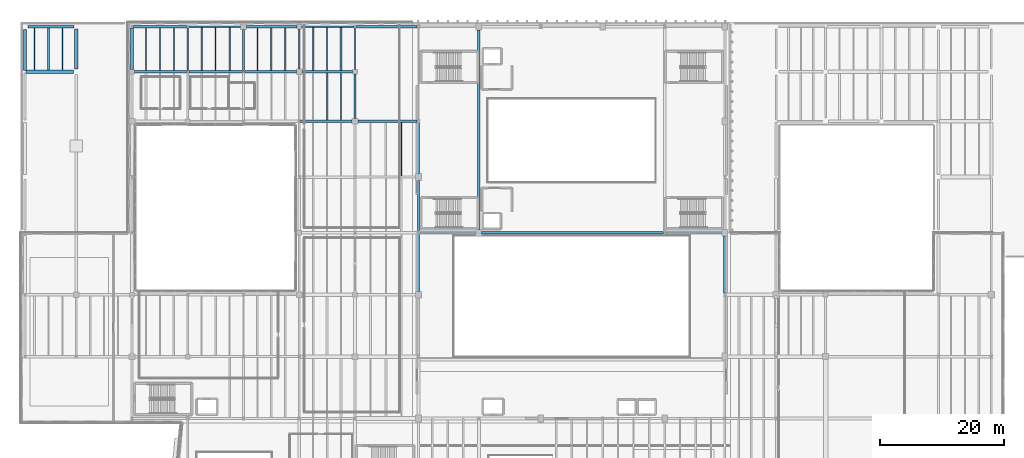
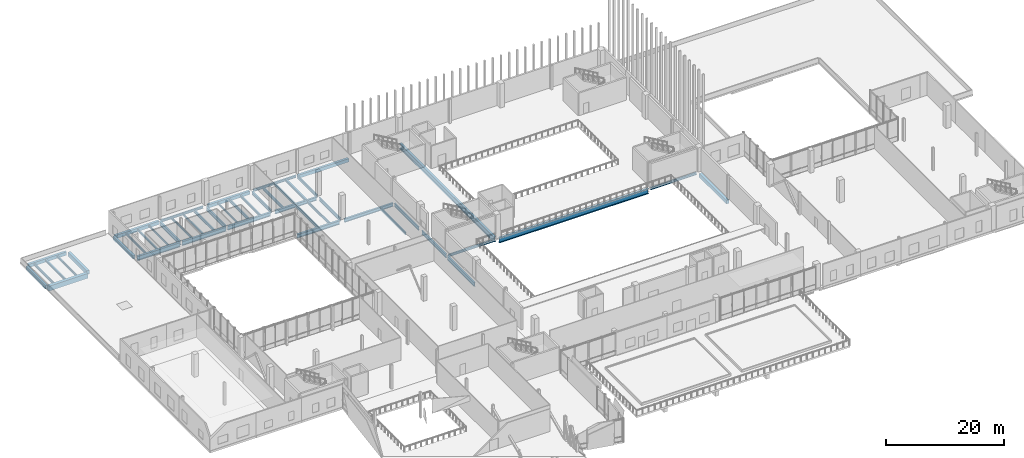
# One storey, part 29 of 60: 47 beams.
"""IFC4 building model written with IfcOpenShell, lengths in metres."""

from ifc_helpers import new_model, si_unit, direction, frame, origin, origin_2d, place, context, subcontext, project, spatial, rectangle, i_section, extrude, material, material_profile, profile_set, type_object, element, save


model = new_model("IFC4")

# Units and contexts
model_context = context("Model", 3, precision=1e-05, world=origin(), true_north=direction((0.0, 1.0)))
body_context = subcontext(model_context, "Body", "Model", "MODEL_VIEW")
ifc_project = project(units=[si_unit("LENGTHUNIT", "METRE"), si_unit("AREAUNIT", "SQUARE_METRE"), si_unit("VOLUMEUNIT", "CUBIC_METRE"), si_unit("PLANEANGLEUNIT", "RADIAN"), si_unit("MASSUNIT", "GRAM", prefix="KILO")], contexts=[model_context])

# Site, building, storey
site_placement = place(None, origin())
site = spatial("IfcSite", under=ifc_project, at=site_placement, CompositionType="ELEMENT")
building_placement = place(site_placement, origin())
building = spatial("IfcBuilding", under=site, at=building_placement, Name="Trimount Lyric Opera House", CompositionType="ELEMENT")
storey_placement = place(building_placement, frame((0.0, 0.0, 15.0)))
storey = spatial("IfcBuildingStorey", under=building, at=storey_placement, Name="L03", CompositionType="ELEMENT", Elevation=15.0)

# Beams
ifc_material_1 = material(Name="Steel ASTM A992 Grade 50", Category="steel")
ifc_material_profile_1 = material_profile(ifc_material_1, i_section(OverallWidth=0.4189453125, OverallDepth=0.927001953125, WebThickness=0.019287109375, FlangeThickness=0.031982421875, FilletRadius=0.02392578125, at=origin_2d()), Name="W36X231")
ifc_profile_set_1 = profile_set([ifc_material_profile_1], Name="Steel ASTM A992 Grade 50")
beam_type_1 = type_object("IfcBeamType", Name="B-02", PredefinedType="BEAM", material=ifc_profile_set_1)
beam_1_placement = place(storey_placement, frame((18.375, 110.0, -0.743408203125), z_axis=(1.0, 0.0, 0.0), x_axis=(0.0, 1.0, 0.0)))
element("IfcBeam", 1, at=beam_1_placement, inside=storey, type_object=beam_type_1, Name="L03 girder X-1007", PredefinedType="BEAM", context=body_context, shape_type="SweptSolid", body=[
    extrude(i_section(OverallWidth=0.4189453125, OverallDepth=0.927001953125, WebThickness=0.019287109375, FlangeThickness=0.031982421875, FilletRadius=0.02392578125, at=origin_2d()), origin(), (0.0, 0.0, 1.0), 8.44091796875),
])
ifc_material_2 = material(Name="Steel ASTM A992 Grade 50", Category="steel")
ifc_material_profile_2 = material_profile(ifc_material_2, i_section(OverallWidth=0.40087890625, OverallDepth=0.861083984375, WebThickness=0.019775390625, FlangeThickness=0.032470703125, FilletRadius=0.02001953125, at=origin_2d()), Name="W33X221")
ifc_profile_set_2 = profile_set([ifc_material_profile_2], Name="Steel ASTM A992 Grade 50")
beam_type_2 = type_object("IfcBeamType", Name="B-04", PredefinedType="BEAM", material=ifc_profile_set_2)
beam_2_placement = place(storey_placement, frame((27.18408203125, 110.0, -0.71044921875), z_axis=(1.0, 0.0, 0.0), x_axis=(0.0, 1.0, 0.0)))
element("IfcBeam", 2, at=beam_2_placement, inside=storey, type_object=beam_type_2, Name="L03 girder X-1008", PredefinedType="BEAM", context=body_context, shape_type="SweptSolid", body=[
    extrude(i_section(OverallWidth=0.40087890625, OverallDepth=0.861083984375, WebThickness=0.019775390625, FlangeThickness=0.032470703125, FilletRadius=0.02001953125, at=origin_2d()), origin(), (0.0, 0.0, 1.0), 8.62939453125),
])
ifc_material_3 = material(Name="Steel ASTM A992 Grade 50", Category="steel")
ifc_material_profile_3 = material_profile(ifc_material_3, i_section(OverallWidth=0.2919921875, OverallDepth=0.845947265625, WebThickness=0.015380859375, FlangeThickness=0.0244140625, FilletRadius=0.01806640625, at=origin_2d()), Name="W33X141")
ifc_profile_set_3 = profile_set([ifc_material_profile_3], Name="Steel ASTM A992 Grade 50")
beam_type_3 = type_object("IfcBeamType", Name="B-05", PredefinedType="BEAM", material=ifc_profile_set_3)
beam_3_placement = place(storey_placement, frame((27.0, 110.177978515625, -0.702880859375), z_axis=(0.0, 1.0, 0.0), x_axis=(-1.0, 0.0, 0.0)))
element("IfcBeam", 3, at=beam_3_placement, inside=storey, type_object=beam_type_3, Name="L03 girder Y-1049", PredefinedType="BEAM", context=body_context, shape_type="SweptSolid", body=[
    extrude(i_section(OverallWidth=0.2919921875, OverallDepth=0.845947265625, WebThickness=0.015380859375, FlangeThickness=0.0244140625, FilletRadius=0.01806640625, at=origin_2d()), origin(), (0.0, 0.0, 1.0), 6.91796875),
])
beam_4_placement = place(storey_placement, frame((64.260009765625, 74.550048828125, -0.748046875), z_axis=(0.0, 1.0, 0.0), x_axis=(-1.0, 0.0, 0.0)))
element("IfcBeam", 4, at=beam_4_placement, inside=storey, type_object=beam_type_3, Name="L03 girder Y-1077", PredefinedType="BEAM", context=body_context, shape_type="SweptSolid", body=[
    extrude(i_section(OverallWidth=0.2919921875, OverallDepth=0.845947265625, WebThickness=0.015380859375, FlangeThickness=0.0244140625, FilletRadius=0.01806640625, at=origin_2d()), origin(), (0.0, 0.0, 1.0), 9.217529296875),
])
ifc_material_4 = material(Name="Steel ASTM A992 Grade 50", Category="steel")
ifc_material_profile_4 = material_profile(ifc_material_4, i_section(OverallWidth=0.382080078125, OverallDepth=0.779052734375, WebThickness=0.01806640625, FlangeThickness=0.0302734375, FilletRadius=0.01904296875, at=origin_2d()), Name="W30X191")
ifc_profile_set_4 = profile_set([ifc_material_profile_4], Name="Steel ASTM A992 Grade 50")
beam_type_4 = type_object("IfcBeamType", Name="B-06", PredefinedType="BEAM", material=ifc_profile_set_4)
for number, where, z_axis, x_axis, name in (
    (5, (45.1865234375, 102.0, -0.66943359375), (1.0, 0.0, 0.0), (0.0, 1.0, 0.0), "L03 girder X-1000"),
    (6, (36.1865234375, 110.0, -0.66943359375), (1.0, 0.0, 0.0), (0.0, 1.0, 0.0), "L03 girder X-1009"),
):
    element("IfcBeam", number, at=place(storey_placement, frame(where, z_axis=z_axis, x_axis=x_axis)), inside=storey, type_object=beam_type_4, Name=name, PredefinedType="BEAM", context=body_context, shape_type="SweptSolid", body=[
        extrude(i_section(OverallWidth=0.382080078125, OverallDepth=0.779052734375, WebThickness=0.01806640625, FlangeThickness=0.0302734375, FilletRadius=0.01904296875, at=origin_2d()), origin(), (0.0, 0.0, 1.0), 8.363525390625),
    ])
ifc_material_5 = material(Name="Steel ASTM A992 Grade 50", Category="steel")
ifc_material_profile_5 = material_profile(ifc_material_5, i_section(OverallWidth=0.26708984375, OverallDepth=0.761962890625, WebThickness=0.014404296875, FlangeThickness=0.021484375, FilletRadius=0.01708984375, at=origin_2d()), Name="W30X116")
ifc_profile_set_5 = profile_set([ifc_material_profile_5], Name="Steel ASTM A992 Grade 50")
beam_type_5 = type_object("IfcBeamType", Name="B-07", PredefinedType="BEAM", material=ifc_profile_set_5)
beam_5_placement = place(storey_placement, frame((36.0, 110.18408203125, -0.660888671875), z_axis=(0.0, 1.0, 0.0), x_axis=(-1.0, 0.0, 0.0)))
element("IfcBeam", 7, at=beam_5_placement, inside=storey, type_object=beam_type_5, Name="L03 girder Y-1053", PredefinedType="BEAM", context=body_context, shape_type="SweptSolid", body=[
    extrude(i_section(OverallWidth=0.26708984375, OverallDepth=0.761962890625, WebThickness=0.014404296875, FlangeThickness=0.021484375, FilletRadius=0.01708984375, at=origin_2d()), origin(), (0.0, 0.0, 1.0), 6.64599609375),
])
beam_6_placement = place(storey_placement, frame((64.260009765625, 84.232421875, -0.7060546875), z_axis=(0.0, 1.0, 0.0), x_axis=(-1.0, 0.0, 0.0)))
element("IfcBeam", 8, at=beam_6_placement, inside=storey, type_object=beam_type_5, Name="L03 girder Y-1078", PredefinedType="BEAM", context=body_context, shape_type="SweptSolid", body=[
    extrude(i_section(OverallWidth=0.26708984375, OverallDepth=0.761962890625, WebThickness=0.014404296875, FlangeThickness=0.021484375, FilletRadius=0.01708984375, at=origin_2d()), origin(), (0.0, 0.0, 1.0), 8.217529296875),
])
ifc_material_6 = material(Name="Steel ASTM A992 Grade 50", Category="steel")
ifc_material_profile_6 = material_profile(ifc_material_6, i_section(OverallWidth=0.35595703125, OverallDepth=0.700927734375, WebThickness=0.016845703125, FlangeThickness=0.02734375, FilletRadius=0.01806640625, at=origin_2d()), Name="W27X161")
ifc_profile_set_6 = profile_set([ifc_material_profile_6], Name="Steel ASTM A992 Grade 50")
beam_type_6 = type_object("IfcBeamType", Name="B-08", PredefinedType="BEAM", material=ifc_profile_set_6)
beam_7_placement = place(storey_placement, frame((54.449951171875, 102.0, -0.675537109375), z_axis=(1.0, 0.0, 0.0), x_axis=(0.0, 1.0, 0.0)))
element("IfcBeam", 9, at=beam_7_placement, inside=storey, type_object=beam_type_6, Name="L03 girder X-1001", PredefinedType="BEAM", context=body_context, shape_type="SweptSolid", body=[
    extrude(i_section(OverallWidth=0.35595703125, OverallDepth=0.700927734375, WebThickness=0.016845703125, FlangeThickness=0.02734375, FilletRadius=0.01806640625, at=origin_2d()), origin(), (0.0, 0.0, 1.0), 9.59912109375),
])
beam_8_placement = place(storey_placement, frame((45.449951171875, 110.0, -0.630615234375), z_axis=(1.0, 0.0, 0.0), x_axis=(0.0, 1.0, 0.0)))
element("IfcBeam", 10, at=beam_8_placement, inside=storey, type_object=beam_type_6, Name="L03 girder X-1010", PredefinedType="BEAM", context=body_context, shape_type="SweptSolid", body=[
    extrude(i_section(OverallWidth=0.35595703125, OverallDepth=0.700927734375, WebThickness=0.016845703125, FlangeThickness=0.02734375, FilletRadius=0.01806640625, at=origin_2d()), origin(), (0.0, 0.0, 1.0), 8.175048828125),
])
ifc_material_7 = material(Name="Steel ASTM A992 Grade 50", Category="steel")
ifc_material_profile_7 = material_profile(ifc_material_7, i_section(OverallWidth=0.25390625, OverallDepth=0.68798828125, WebThickness=0.01318359375, FlangeThickness=0.02099609375, FilletRadius=0.01611328125, at=origin_2d()), Name="W27X102")
ifc_profile_set_7 = profile_set([ifc_material_profile_7], Name="Steel ASTM A992 Grade 50")
beam_type_7 = type_object("IfcBeamType", Name="B-09", PredefinedType="BEAM", material=ifc_profile_set_7)
beam_9_placement = place(storey_placement, frame((45.0, 110.449951171875, -0.6240234375), z_axis=(0.0, 1.0, 0.0), x_axis=(-1.0, 0.0, 0.0)))
element("IfcBeam", 11, at=beam_9_placement, inside=storey, type_object=beam_type_7, Name="L03 girder Y-1063", PredefinedType="BEAM", context=body_context, shape_type="SweptSolid", body=[
    extrude(i_section(OverallWidth=0.25390625, OverallDepth=0.68798828125, WebThickness=0.01318359375, FlangeThickness=0.02099609375, FilletRadius=0.01611328125, at=origin_2d()), origin(), (0.0, 0.0, 1.0), 6.455078125),
])
beam_10_placement = place(storey_placement, frame((54.0, 102.449951171875, -0.6240234375), z_axis=(0.0, 1.0, 0.0), x_axis=(-1.0, 0.0, 0.0)))
element("IfcBeam", 12, at=beam_10_placement, inside=storey, type_object=beam_type_7, Name="L03 girder Y-1072", PredefinedType="BEAM", context=body_context, shape_type="SweptSolid", body=[
    extrude(i_section(OverallWidth=0.25390625, OverallDepth=0.68798828125, WebThickness=0.01318359375, FlangeThickness=0.02099609375, FilletRadius=0.01611328125, at=origin_2d()), origin(), (0.0, 0.0, 1.0), 7.175048828125),
])
beam_11_placement = place(storey_placement, frame((64.260009765625, 93.550048828125, -0.6689453125), z_axis=(0.0, 1.0, 0.0), x_axis=(-1.0, 0.0, 0.0)))
element("IfcBeam", 13, at=beam_11_placement, inside=storey, type_object=beam_type_7, Name="L03 girder Y-1079", PredefinedType="BEAM", context=body_context, shape_type="SweptSolid", body=[
    extrude(i_section(OverallWidth=0.25390625, OverallDepth=0.68798828125, WebThickness=0.01318359375, FlangeThickness=0.02099609375, FilletRadius=0.01611328125, at=origin_2d()), origin(), (0.0, 0.0, 1.0), 8.217529296875),
])
ifc_material_8 = material(Name="Steel ASTM A992 Grade 50", Category="steel")
ifc_material_profile_8 = material_profile(ifc_material_8, i_section(OverallWidth=0.22998046875, OverallDepth=0.616943359375, WebThickness=0.01318359375, FlangeThickness=0.022216796875, FilletRadius=0.013916015625, at=origin_2d()), Name="W24X94")
ifc_profile_set_8 = profile_set([ifc_material_profile_8], Name="Steel ASTM A992 Grade 50")
beam_type_8 = type_object("IfcBeamType", Name="B-11", PredefinedType="BEAM", material=ifc_profile_set_8)
beam_12_placement = place(storey_placement, frame((54.0, 110.375, -0.58837890625), z_axis=(0.0, 1.0, 0.0), x_axis=(-1.0, 0.0, 0.0)))
element("IfcBeam", 14, at=beam_12_placement, inside=storey, type_object=beam_type_8, Name="L03 girder Y-1073", PredefinedType="BEAM", context=body_context, shape_type="SweptSolid", body=[
    extrude(i_section(OverallWidth=0.22998046875, OverallDepth=0.616943359375, WebThickness=0.01318359375, FlangeThickness=0.022216796875, FilletRadius=0.013916015625, at=origin_2d()), origin(), (0.0, 0.0, 1.0), 6.72705078125),
])
ifc_material_9 = material(Name="Concrete C40/50", Category="concrete")
ifc_material_profile_9 = material_profile(ifc_material_9, rectangle(XDim=0.60009765625, YDim=1.0, at=origin_2d()), Name="RC600X1000")
ifc_profile_set_9 = profile_set([ifc_material_profile_9], Name="Concrete C40/50")
beam_type_9 = type_object("IfcBeamType", Name="B-13", PredefinedType="BEAM", material=ifc_profile_set_9)
beam_13_placement = place(storey_placement, frame((0.906494140625, 110.0, -0.7900390625), z_axis=(1.0, 0.0, 0.0), x_axis=(0.0, 1.0, 0.0)))
element("IfcBeam", 15, at=beam_13_placement, inside=storey, type_object=beam_type_9, Name="L03 girder X-1006", PredefinedType="BEAM", context=body_context, shape_type="SweptSolid", body=[
    extrude(rectangle(XDim=0.60009765625, YDim=1.0, at=origin_2d()), origin(), (0.0, 0.0, 1.0), 7.6435546875),
])
ifc_material_10 = material(Name="Concrete C40/50", Category="concrete")
ifc_material_profile_10 = material_profile(ifc_material_10, rectangle(XDim=0.5, YDim=0.800048828125, at=origin_2d()), Name="RC500X800")
ifc_profile_set_10 = profile_set([ifc_material_profile_10], Name="Concrete C40/50")
beam_type_10 = type_object("IfcBeamType", Name="B-15", PredefinedType="BEAM", material=ifc_profile_set_10)
beam_14_placement = place(storey_placement, frame((9.0, 110.449951171875, -0.68994140625), z_axis=(0.0, 1.0, 0.0), x_axis=(-1.0, 0.0, 0.0)))
element("IfcBeam", 16, at=beam_14_placement, inside=storey, type_object=beam_type_10, Name="L03 girder Y-1038", PredefinedType="BEAM", context=body_context, shape_type="SweptSolid", body=[
    extrude(rectangle(XDim=0.5, YDim=0.800048828125, at=origin_2d()), origin(), (0.0, 0.0, 1.0), 6.455078125),
])
beam_15_placement = place(storey_placement, frame((113.739990234375, 74.232421875, -0.72509765625), z_axis=(0.0, 1.0, 0.0), x_axis=(-1.0, 0.0, 0.0)))
element("IfcBeam", 17, at=beam_15_placement, inside=storey, type_object=beam_type_10, Name="L03 girder Y-1092", PredefinedType="BEAM", context=body_context, shape_type="SweptSolid", body=[
    extrude(rectangle(XDim=0.5, YDim=0.800048828125, at=origin_2d()), origin(), (0.0, 0.0, 1.0), 9.217529296875),
])
ifc_material_11 = material(Name="Steel ASTM A992 Grade 50", Category="steel")
ifc_material_profile_11 = material_profile(ifc_material_11, i_section(OverallWidth=0.22802734375, OverallDepth=0.60205078125, WebThickness=0.010498046875, FlangeThickness=0.014892578125, FilletRadius=0.012939453125, at=origin_2d()), Name="W24X68")
ifc_profile_set_11 = profile_set([ifc_material_profile_11], Name="Steel ASTM A992 Grade 50")
beam_type_11 = type_object("IfcBeamType", Name="J-01", PredefinedType="BEAM", material=ifc_profile_set_11)
beam_16_placement = place(storey_placement, frame((33.75, 110.196533203125, -0.5810546875), z_axis=(0.0, 1.0, 0.0), x_axis=(-1.0, 0.0, 0.0)))
element("IfcBeam", 18, at=beam_16_placement, inside=storey, type_object=beam_type_11, Name="L03 composite floor joist 1016", PredefinedType="BEAM", context=body_context, shape_type="SweptSolid", body=[
    extrude(i_section(OverallWidth=0.22802734375, OverallDepth=0.60205078125, WebThickness=0.010498046875, FlangeThickness=0.014892578125, FilletRadius=0.012939453125, at=origin_2d()), origin(), (0.0, 0.0, 1.0), 6.946533203125),
])
beam_17_placement = place(storey_placement, frame((40.5, 110.18701171875, -0.5810546875), z_axis=(0.0, 1.0, 0.0), x_axis=(-1.0, 0.0, 0.0)))
element("IfcBeam", 19, at=beam_17_placement, inside=storey, type_object=beam_type_11, Name="L03 composite floor joist 1027", PredefinedType="BEAM", context=body_context, shape_type="SweptSolid", body=[
    extrude(i_section(OverallWidth=0.22802734375, OverallDepth=0.60205078125, WebThickness=0.010498046875, FlangeThickness=0.014892578125, FilletRadius=0.012939453125, at=origin_2d()), origin(), (0.0, 0.0, 1.0), 6.8720703125),
])
beam_18_placement = place(storey_placement, frame((49.5, 102.18701171875, -0.5810546875), z_axis=(0.0, 1.0, 0.0), x_axis=(-1.0, 0.0, 0.0)))
element("IfcBeam", 20, at=beam_18_placement, inside=storey, type_object=beam_type_11, Name="L03 composite floor joist 1054", PredefinedType="BEAM", context=body_context, shape_type="SweptSolid", body=[
    extrude(i_section(OverallWidth=0.22802734375, OverallDepth=0.60205078125, WebThickness=0.010498046875, FlangeThickness=0.014892578125, FilletRadius=0.012939453125, at=origin_2d()), origin(), (0.0, 0.0, 1.0), 7.638916015625),
])
beam_19_placement = place(storey_placement, frame((47.25, 110.174072265625, -0.5810546875), z_axis=(0.0, 1.0, 0.0), x_axis=(-1.0, 0.0, 0.0)))
element("IfcBeam", 21, at=beam_19_placement, inside=storey, type_object=beam_type_11, Name="L03 composite floor joist 1056", PredefinedType="BEAM", context=body_context, shape_type="SweptSolid", body=[
    extrude(i_section(OverallWidth=0.22802734375, OverallDepth=0.60205078125, WebThickness=0.010498046875, FlangeThickness=0.014892578125, FilletRadius=0.012939453125, at=origin_2d()), origin(), (0.0, 0.0, 1.0), 6.968994140625),
])
ifc_material_12 = material(Name="Steel ASTM A992 Grade 50", Category="steel")
ifc_material_profile_12 = material_profile(ifc_material_12, i_section(OverallWidth=0.2099609375, OverallDepth=0.532958984375, WebThickness=0.01025390625, FlangeThickness=0.015625, FilletRadius=0.012939453125, at=origin_2d()), Name="W21X62")
ifc_profile_set_12 = profile_set([ifc_material_profile_12], Name="Steel ASTM A992 Grade 50")
beam_type_12 = type_object("IfcBeamType", Name="J-02", PredefinedType="BEAM", material=ifc_profile_set_12)
beam_20_placement = place(storey_placement, frame((2.25, 110.2958984375, -0.556396484375), z_axis=(0.0, 1.0, 0.0), x_axis=(-1.0, 0.0, 0.0)))
element("IfcBeam", 22, at=beam_20_placement, inside=storey, type_object=beam_type_12, Name="L03 composite floor joist 0992", PredefinedType="BEAM", context=body_context, shape_type="SweptSolid", body=[
    extrude(i_section(OverallWidth=0.2099609375, OverallDepth=0.532958984375, WebThickness=0.01025390625, FlangeThickness=0.015625, FilletRadius=0.012939453125, at=origin_2d()), origin(), (0.0, 0.0, 1.0), 6.76318359375),
])
beam_21_placement = place(storey_placement, frame((42.75, 110.18701171875, -0.54638671875), z_axis=(0.0, 1.0, 0.0), x_axis=(-1.0, 0.0, 0.0)))
element("IfcBeam", 23, at=beam_21_placement, inside=storey, type_object=beam_type_12, Name="L03 composite floor joist 1028", PredefinedType="BEAM", context=body_context, shape_type="SweptSolid", body=[
    extrude(i_section(OverallWidth=0.2099609375, OverallDepth=0.532958984375, WebThickness=0.01025390625, FlangeThickness=0.015625, FilletRadius=0.012939453125, at=origin_2d()), origin(), (0.0, 0.0, 1.0), 6.8720703125),
])
beam_22_placement = place(storey_placement, frame((51.75, 102.18701171875, -0.54638671875), z_axis=(0.0, 1.0, 0.0), x_axis=(-1.0, 0.0, 0.0)))
element("IfcBeam", 24, at=beam_22_placement, inside=storey, type_object=beam_type_12, Name="L03 composite floor joist 1055", PredefinedType="BEAM", context=body_context, shape_type="SweptSolid", body=[
    extrude(i_section(OverallWidth=0.2099609375, OverallDepth=0.532958984375, WebThickness=0.01025390625, FlangeThickness=0.015625, FilletRadius=0.012939453125, at=origin_2d()), origin(), (0.0, 0.0, 1.0), 7.638916015625),
])
beam_23_placement = place(storey_placement, frame((49.5, 110.174072265625, -0.54638671875), z_axis=(0.0, 1.0, 0.0), x_axis=(-1.0, 0.0, 0.0)))
element("IfcBeam", 25, at=beam_23_placement, inside=storey, type_object=beam_type_12, Name="L03 composite floor joist 1057", PredefinedType="BEAM", context=body_context, shape_type="SweptSolid", body=[
    extrude(i_section(OverallWidth=0.2099609375, OverallDepth=0.532958984375, WebThickness=0.01025390625, FlangeThickness=0.015625, FilletRadius=0.012939453125, at=origin_2d()), origin(), (0.0, 0.0, 1.0), 6.968994140625),
])
beam_24_placement = place(storey_placement, frame((61.5, 93.18701171875, -0.54638671875), z_axis=(0.0, 1.0, 0.0), x_axis=(-1.0, 0.0, 0.0)))
element("IfcBeam", 26, at=beam_24_placement, inside=storey, type_object=beam_type_12, Name="L03 composite floor joist 1073", PredefinedType="BEAM", context=body_context, shape_type="SweptSolid", body=[
    extrude(i_section(OverallWidth=0.2099609375, OverallDepth=0.532958984375, WebThickness=0.01025390625, FlangeThickness=0.015625, FilletRadius=0.012939453125, at=origin_2d()), origin(), (0.0, 0.0, 1.0), 8.638916015625),
])
ifc_material_13 = material(Name="Steel ASTM A992 Grade 50", Category="steel")
ifc_material_profile_13 = material_profile(ifc_material_13, i_section(OverallWidth=0.281982421875, OverallDepth=0.467041015625, WebThickness=0.01220703125, FlangeThickness=0.01953125, FilletRadius=0.012939453125, at=origin_2d()), Name="W18X86")
ifc_profile_set_13 = profile_set([ifc_material_profile_13], Name="Steel ASTM A992 Grade 50")
beam_type_13 = type_object("IfcBeamType", Name="J-03", PredefinedType="BEAM", material=ifc_profile_set_13)
beam_25_placement = place(storey_placement, frame((4.5, 110.2958984375, -0.5234375), z_axis=(0.0, 1.0, 0.0), x_axis=(-1.0, 0.0, 0.0)))
element("IfcBeam", 27, at=beam_25_placement, inside=storey, type_object=beam_type_13, Name="L03 composite floor joist 0993", PredefinedType="BEAM", context=body_context, shape_type="SweptSolid", body=[
    extrude(i_section(OverallWidth=0.281982421875, OverallDepth=0.467041015625, WebThickness=0.01220703125, FlangeThickness=0.01953125, FilletRadius=0.012939453125, at=origin_2d()), origin(), (0.0, 0.0, 1.0), 6.76318359375),
])
beam_26_placement = place(storey_placement, frame((51.75, 110.174072265625, -0.513427734375), z_axis=(0.0, 1.0, 0.0), x_axis=(-1.0, 0.0, 0.0)))
element("IfcBeam", 28, at=beam_26_placement, inside=storey, type_object=beam_type_13, Name="L03 composite floor joist 1058", PredefinedType="BEAM", context=body_context, shape_type="SweptSolid", body=[
    extrude(i_section(OverallWidth=0.281982421875, OverallDepth=0.467041015625, WebThickness=0.01220703125, FlangeThickness=0.01953125, FilletRadius=0.012939453125, at=origin_2d()), origin(), (0.0, 0.0, 1.0), 6.968994140625),
])
ifc_material_14 = material(Name="Steel ASTM A992 Grade 50", Category="steel")
ifc_material_profile_14 = material_profile(ifc_material_14, i_section(OverallWidth=0.19091796875, OverallDepth=0.45703125, WebThickness=0.009033203125, FlangeThickness=0.014404296875, FilletRadius=0.010986328125, at=origin_2d()), Name="W18X50")
ifc_profile_set_14 = profile_set([ifc_material_profile_14], Name="Steel ASTM A992 Grade 50")
beam_type_14 = type_object("IfcBeamType", Name="J-04", PredefinedType="BEAM", material=ifc_profile_set_14)
beam_27_placement = place(storey_placement, frame((6.75, 110.2958984375, -0.5185546875), z_axis=(0.0, 1.0, 0.0), x_axis=(-1.0, 0.0, 0.0)))
element("IfcBeam", 29, at=beam_27_placement, inside=storey, type_object=beam_type_14, Name="L03 composite floor joist 0994", PredefinedType="BEAM", context=body_context, shape_type="SweptSolid", body=[
    extrude(i_section(OverallWidth=0.19091796875, OverallDepth=0.45703125, WebThickness=0.009033203125, FlangeThickness=0.014404296875, FilletRadius=0.010986328125, at=origin_2d()), origin(), (0.0, 0.0, 1.0), 6.76318359375),
])
beam_28_placement = place(storey_placement, frame((20.25, 110.20556640625, -0.508544921875), z_axis=(0.0, 1.0, 0.0), x_axis=(-1.0, 0.0, 0.0)))
element("IfcBeam", 30, at=beam_28_placement, inside=storey, type_object=beam_type_14, Name="L03 composite floor joist 1004", PredefinedType="BEAM", context=body_context, shape_type="SweptSolid", body=[
    extrude(i_section(OverallWidth=0.19091796875, OverallDepth=0.45703125, WebThickness=0.009033203125, FlangeThickness=0.014404296875, FilletRadius=0.010986328125, at=origin_2d()), origin(), (0.0, 0.0, 1.0), 6.853515625),
])
ifc_material_15 = material(Name="Steel ASTM A992 Grade 50", Category="steel")
ifc_material_profile_15 = material_profile(ifc_material_15, i_section(OverallWidth=0.180908203125, OverallDepth=0.4169921875, WebThickness=0.010986328125, FlangeThickness=0.018310546875, FilletRadius=0.010986328125, at=origin_2d()), Name="W16X57")
ifc_profile_set_15 = profile_set([ifc_material_profile_15], Name="Steel ASTM A992 Grade 50")
beam_type_15 = type_object("IfcBeamType", Name="J-05", PredefinedType="BEAM", material=ifc_profile_set_15)
beam_29_placement = place(storey_placement, frame((22.5, 110.20556640625, -0.488525390625), z_axis=(0.0, 1.0, 0.0), x_axis=(-1.0, 0.0, 0.0)))
element("IfcBeam", 31, at=beam_29_placement, inside=storey, type_object=beam_type_15, Name="L03 composite floor joist 1005", PredefinedType="BEAM", context=body_context, shape_type="SweptSolid", body=[
    extrude(i_section(OverallWidth=0.180908203125, OverallDepth=0.4169921875, WebThickness=0.010986328125, FlangeThickness=0.018310546875, FilletRadius=0.010986328125, at=origin_2d()), origin(), (0.0, 0.0, 1.0), 6.853515625),
])
beam_30_placement = place(storey_placement, frame((29.25, 110.196533203125, -0.488525390625), z_axis=(0.0, 1.0, 0.0), x_axis=(-1.0, 0.0, 0.0)))
element("IfcBeam", 32, at=beam_30_placement, inside=storey, type_object=beam_type_15, Name="L03 composite floor joist 1014", PredefinedType="BEAM", context=body_context, shape_type="SweptSolid", body=[
    extrude(i_section(OverallWidth=0.180908203125, OverallDepth=0.4169921875, WebThickness=0.010986328125, FlangeThickness=0.018310546875, FilletRadius=0.010986328125, at=origin_2d()), origin(), (0.0, 0.0, 1.0), 6.946533203125),
])
ifc_material_16 = material(Name="Steel ASTM A992 Grade 50", Category="steel")
ifc_material_profile_16 = material_profile(ifc_material_16, i_section(OverallWidth=0.177978515625, OverallDepth=0.404052734375, WebThickness=0.007568359375, FlangeThickness=0.010986328125, FilletRadius=0.010009765625, at=origin_2d()), Name="W16X36")
ifc_profile_set_16 = profile_set([ifc_material_profile_16], Name="Steel ASTM A992 Grade 50")
beam_type_16 = type_object("IfcBeamType", Name="J-06", PredefinedType="BEAM", material=ifc_profile_set_16)
beam_31_placement = place(storey_placement, frame((24.75, 110.20556640625, -0.48193359375), z_axis=(0.0, 1.0, 0.0), x_axis=(-1.0, 0.0, 0.0)))
element("IfcBeam", 33, at=beam_31_placement, inside=storey, type_object=beam_type_16, Name="L03 composite floor joist 1006", PredefinedType="BEAM", context=body_context, shape_type="SweptSolid", body=[
    extrude(i_section(OverallWidth=0.177978515625, OverallDepth=0.404052734375, WebThickness=0.007568359375, FlangeThickness=0.010986328125, FilletRadius=0.010009765625, at=origin_2d()), origin(), (0.0, 0.0, 1.0), 6.853515625),
])
beam_32_placement = place(storey_placement, frame((31.5, 110.196533203125, -0.48193359375), z_axis=(0.0, 1.0, 0.0), x_axis=(-1.0, 0.0, 0.0)))
element("IfcBeam", 34, at=beam_32_placement, inside=storey, type_object=beam_type_16, Name="L03 composite floor joist 1015", PredefinedType="BEAM", context=body_context, shape_type="SweptSolid", body=[
    extrude(i_section(OverallWidth=0.177978515625, OverallDepth=0.404052734375, WebThickness=0.007568359375, FlangeThickness=0.010986328125, FilletRadius=0.010009765625, at=origin_2d()), origin(), (0.0, 0.0, 1.0), 6.946533203125),
])
beam_33_placement = place(storey_placement, frame((38.25, 110.18701171875, -0.48193359375), z_axis=(0.0, 1.0, 0.0), x_axis=(-1.0, 0.0, 0.0)))
element("IfcBeam", 35, at=beam_33_placement, inside=storey, type_object=beam_type_16, Name="L03 composite floor joist 1026", PredefinedType="BEAM", context=body_context, shape_type="SweptSolid", body=[
    extrude(i_section(OverallWidth=0.177978515625, OverallDepth=0.404052734375, WebThickness=0.007568359375, FlangeThickness=0.010986328125, FilletRadius=0.010009765625, at=origin_2d()), origin(), (0.0, 0.0, 1.0), 6.8720703125),
])
ifc_material_17 = material(Name="Steel ASTM A992 Grade 50", Category="steel")
ifc_material_profile_17 = material_profile(ifc_material_17, i_section(OverallWidth=0.281982421875, OverallDepth=0.467041015625, WebThickness=0.01220703125, FlangeThickness=0.01953125, FilletRadius=0.012939453125, at=origin_2d()), Name="W18X86")
ifc_profile_set_17 = profile_set([ifc_material_profile_17], Name="Steel ASTM A992 Grade 50")
beam_type_17 = type_object("IfcBeamType", Name="SP-01", PredefinedType="SPANDREL", material=ifc_profile_set_17)
for number, where, z_axis, x_axis, name in (
    (36, (64.470947265625, 84.0, -0.55859375), (1.0, 0.0, 0.0), (0.0, 1.0, 0.0), "L03 girder X-0991"),
    (37, (104.2109375, 84.0, -0.55859375), (1.0, 0.0, 0.0), (0.0, 1.0, 0.0), "L03 girder X-0993"),
):
    element("IfcBeam", number, at=place(storey_placement, frame(where, z_axis=z_axis, x_axis=x_axis)), inside=storey, type_object=beam_type_17, Name=name, PredefinedType="SPANDREL", context=body_context, shape_type="SweptSolid", body=[
        extrude(i_section(OverallWidth=0.281982421875, OverallDepth=0.467041015625, WebThickness=0.01220703125, FlangeThickness=0.01953125, FilletRadius=0.012939453125, at=origin_2d()), origin(), (0.0, 0.0, 1.0), 9.0791015625),
    ])
beam_34_placement = place(storey_placement, frame((27.1865234375, 117.280029296875, -0.513427734375), z_axis=(1.0, 0.0, 0.0), x_axis=(0.0, 1.0, 0.0)))
element("IfcBeam", 38, at=beam_34_placement, inside=storey, type_object=beam_type_17, Name="L03 girder X-1017", PredefinedType="SPANDREL", context=body_context, shape_type="SweptSolid", body=[
    extrude(i_section(OverallWidth=0.281982421875, OverallDepth=0.467041015625, WebThickness=0.01220703125, FlangeThickness=0.01953125, FilletRadius=0.012939453125, at=origin_2d()), origin(), (0.0, 0.0, 1.0), 8.363525390625),
])
beam_35_placement = place(storey_placement, frame((45.375, 117.280029296875, -0.513427734375), z_axis=(1.0, 0.0, 0.0), x_axis=(0.0, 1.0, 0.0)))
element("IfcBeam", 39, at=beam_35_placement, inside=storey, type_object=beam_type_17, Name="L03 girder X-1019", PredefinedType="SPANDREL", context=body_context, shape_type="SweptSolid", body=[
    extrude(i_section(OverallWidth=0.281982421875, OverallDepth=0.467041015625, WebThickness=0.01220703125, FlangeThickness=0.01953125, FilletRadius=0.012939453125, at=origin_2d()), origin(), (0.0, 0.0, 1.0), 8.44091796875),
])
ifc_material_18 = material(Name="Concrete C40/50", Category="concrete")
ifc_material_profile_18 = material_profile(ifc_material_18, rectangle(XDim=0.449951171875, YDim=0.699951171875, at=origin_2d()), Name="RC450X700")
ifc_profile_set_18 = profile_set([ifc_material_profile_18], Name="Concrete C40/50")
beam_type_18 = type_object("IfcBeamType", Name="SP-02", PredefinedType="SPANDREL", material=ifc_profile_set_18)
beam_36_placement = place(storey_placement, frame((1.169921875, 117.280029296875, -0.639892578125), z_axis=(1.0, 0.0, 0.0), x_axis=(0.0, 1.0, 0.0)))
element("IfcBeam", 40, at=beam_36_placement, inside=storey, type_object=beam_type_18, Name="L03 girder X-1015", PredefinedType="SPANDREL", context=body_context, shape_type="SweptSolid", body=[
    extrude(rectangle(XDim=0.449951171875, YDim=0.699951171875, at=origin_2d()), origin(), (0.0, 0.0, 1.0), 7.455078125),
])
beam_37_placement = place(storey_placement, frame((18.18408203125, 117.280029296875, -0.6298828125), z_axis=(1.0, 0.0, 0.0), x_axis=(0.0, 1.0, 0.0)))
element("IfcBeam", 41, at=beam_37_placement, inside=storey, type_object=beam_type_18, Name="L03 girder X-1016", PredefinedType="SPANDREL", context=body_context, shape_type="SweptSolid", body=[
    extrude(rectangle(XDim=0.449951171875, YDim=0.699951171875, at=origin_2d()), origin(), (0.0, 0.0, 1.0), 8.62939453125),
])
beam_38_placement = place(storey_placement, frame((36.449951171875, 117.280029296875, -0.6298828125), z_axis=(1.0, 0.0, 0.0), x_axis=(0.0, 1.0, 0.0)))
element("IfcBeam", 42, at=beam_38_placement, inside=storey, type_object=beam_type_18, Name="L03 girder X-1018", PredefinedType="SPANDREL", context=body_context, shape_type="SweptSolid", body=[
    extrude(rectangle(XDim=0.449951171875, YDim=0.699951171875, at=origin_2d()), origin(), (0.0, 0.0, 1.0), 8.175048828125),
])
beam_39_placement = place(storey_placement, frame((54.18408203125, 117.280029296875, -0.675048828125), z_axis=(1.0, 0.0, 0.0), x_axis=(0.0, 1.0, 0.0)))
element("IfcBeam", 43, at=beam_39_placement, inside=storey, type_object=beam_type_18, Name="L03 girder X-1020", PredefinedType="SPANDREL", context=body_context, shape_type="SweptSolid", body=[
    extrude(rectangle(XDim=0.449951171875, YDim=0.699951171875, at=origin_2d()), origin(), (0.0, 0.0, 1.0), 9.864990234375),
])
beam_40_placement = place(storey_placement, frame((0.719970703125, 110.18408203125, -0.639892578125), z_axis=(0.0, 1.0, 0.0), x_axis=(-1.0, 0.0, 0.0)))
element("IfcBeam", 44, at=beam_40_placement, inside=storey, type_object=beam_type_18, Name="L03 girder Y-1035", PredefinedType="SPANDREL", context=body_context, shape_type="SweptSolid", body=[
    extrude(rectangle(XDim=0.449951171875, YDim=0.699951171875, at=origin_2d()), origin(), (0.0, 0.0, 1.0), 6.64599609375),
])
beam_41_placement = place(storey_placement, frame((18.0, 110.375, -0.6298828125), z_axis=(0.0, 1.0, 0.0), x_axis=(-1.0, 0.0, 0.0)))
element("IfcBeam", 45, at=beam_41_placement, inside=storey, type_object=beam_type_18, Name="L03 girder Y-1045", PredefinedType="SPANDREL", context=body_context, shape_type="SweptSolid", body=[
    extrude(rectangle(XDim=0.449951171875, YDim=0.699951171875, at=origin_2d()), origin(), (0.0, 0.0, 1.0), 6.72705078125),
])
ifc_material_19 = material(Name="Steel ASTM A992 Grade 50", Category="steel")
ifc_material_profile_19 = material_profile(ifc_material_19, i_section(OverallWidth=0.427001953125, OverallDepth=1.092041015625, WebThickness=0.031005859375, FlangeThickness=0.055908203125, FilletRadius=0.02490234375, at=origin_2d()), Name="W40X397")
ifc_profile_set_19 = profile_set([ifc_material_profile_19], Name="Steel ASTM A992 Grade 50")
beam_type_19 = type_object("IfcBeamType", Name="TG-02", PredefinedType="USERDEFINED", material=ifc_profile_set_19)
beam_42_placement = place(storey_placement, frame((74.0, 84.550048828125, -0.87109375), z_axis=(0.0, 1.0, 0.0), x_axis=(-1.0, 0.0, 0.0)))
element("IfcBeam", 46, at=beam_42_placement, inside=storey, type_object=beam_type_19, Name="L03 girder Y-1083", ObjectType="TRANSFER_GIRDER", PredefinedType="USERDEFINED", context=body_context, shape_type="SweptSolid", body=[
    extrude(i_section(OverallWidth=0.427001953125, OverallDepth=1.092041015625, WebThickness=0.031005859375, FlangeThickness=0.055908203125, FilletRadius=0.02490234375, at=origin_2d()), origin(), (0.0, 0.0, 1.0), 32.179931640625),
])
ifc_material_20 = material(Name="Steel ASTM A992 Grade 50", Category="steel")
ifc_material_profile_20 = material_profile(ifc_material_20, i_section(OverallWidth=0.4189453125, OverallDepth=1.052001953125, WebThickness=0.023681640625, FlangeThickness=0.0419921875, FilletRadius=0.02490234375, at=origin_2d()), Name="W40X297")
ifc_profile_set_20 = profile_set([ifc_material_profile_20], Name="Steel ASTM A992 Grade 50")
beam_type_20 = type_object("IfcBeamType", Name="TG-03", PredefinedType="USERDEFINED", material=ifc_profile_set_20)
beam_43_placement = place(storey_placement, frame((74.449951171875, 84.0, -0.85107421875), z_axis=(1.0, 0.0, 0.0), x_axis=(0.0, 1.0, 0.0)))
element("IfcBeam", 47, at=beam_43_placement, inside=storey, type_object=beam_type_20, Name="L03 girder X-0992", ObjectType="TRANSFER_GIRDER", PredefinedType="USERDEFINED", context=body_context, shape_type="SweptSolid", body=[
    extrude(i_section(OverallWidth=0.4189453125, OverallDepth=1.052001953125, WebThickness=0.023681640625, FlangeThickness=0.0419921875, FilletRadius=0.02490234375, at=origin_2d()), origin(), (0.0, 0.0, 1.0), 29.339111328125),
])

save(model, "model.ifc")
